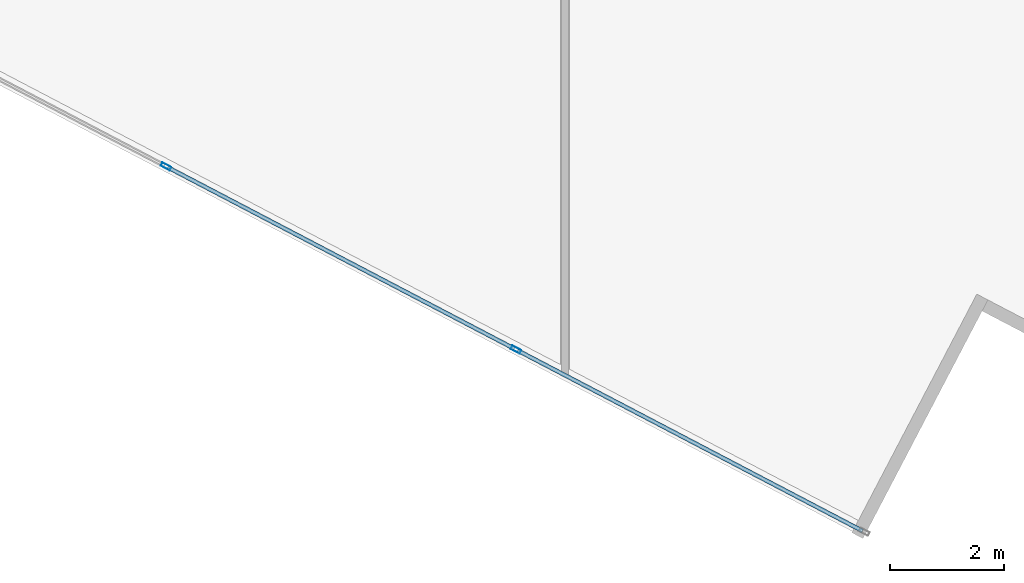
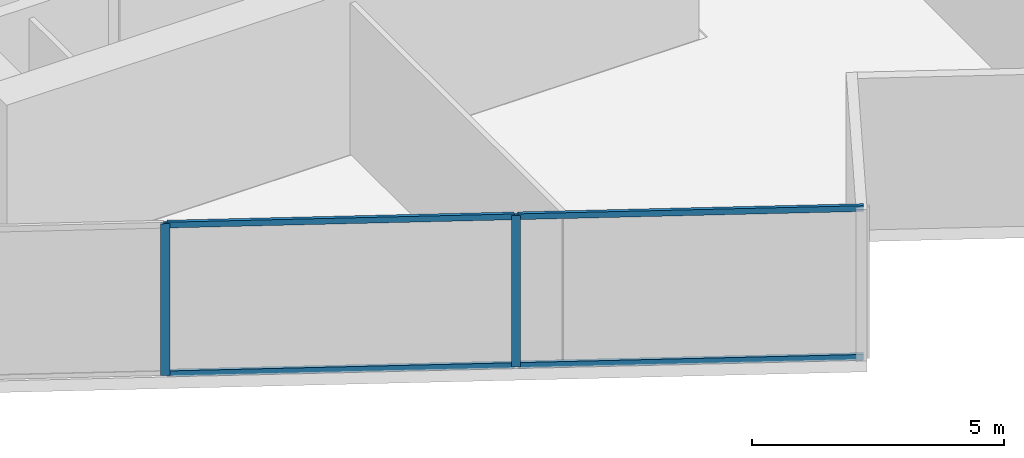
# One storey, part 3 of 27: 6 members, 1 element without a shape of its own.
"""IFC4 building model written with IfcOpenShell, lengths in metres."""

from ifc_helpers import new_model, si_unit, direction, frame, origin, origin_2d, place, context, subcontext, project, spatial, hollow_rectangle, extrude, source, transform, mapped, material, material_profile, profile_set, type_object, type_shapes, element, aggregate, save


model = new_model("IFC4")

# Units and contexts
model_context = context("Model", 3, precision=1e-05, world=origin(), true_north=direction((0.0, 1.0)))
body_context = subcontext(model_context, "Body", "Model", "MODEL_VIEW")
ifc_project = project(units=[si_unit("LENGTHUNIT", "METRE"), si_unit("AREAUNIT", "SQUARE_METRE"), si_unit("VOLUMEUNIT", "CUBIC_METRE"), si_unit("PLANEANGLEUNIT", "RADIAN"), si_unit("MASSUNIT", "GRAM", prefix="KILO")], contexts=[model_context])

# Site, building, storey
site_placement = place(None, origin())
site = spatial("IfcSite", under=ifc_project, at=site_placement, CompositionType="ELEMENT")
building_placement = place(site_placement, origin())
building = spatial("IfcBuilding", under=site, at=building_placement, Name="Krantzveldt Concourse Tower", CompositionType="ELEMENT")
storey_placement = place(building_placement, frame((0.0, 0.0, 150.14990234375)))
storey = spatial("IfcBuildingStorey", under=building, at=storey_placement, Name="L36", CompositionType="ELEMENT", Elevation=150.14990234375)

# Curtain wall, members
ifc_material = material(Name="Anodised aluminium 6063-T6", Category="aluminium")
curtain_wall_type = type_object("IfcCurtainWallType", Name="CW3", PredefinedType="USERDEFINED", material=ifc_material)
curtain_wall_placement = place(storey_placement, origin())
curtain_wall = element("IfcCurtainWall", 1, at=curtain_wall_placement, inside=storey, type_object=curtain_wall_type, Name="CW-L36-F04", ObjectType="UNITISED CURTAIN WALL", PredefinedType="USERDEFINED")
ifc_material_profile_1 = material_profile(ifc_material, hollow_rectangle(XDim=0.070068359375, YDim=0.179931640625, WallThickness=0.0048828125, at=origin_2d()), Name="Anodised aluminium 6063-T6", Category="aluminium")
ifc_profile_set_1 = profile_set([ifc_material_profile_1], Name="Anodised aluminium 6063-T6 - ALU-MULL 180x70x5")
member_type_1 = type_object("IfcMemberType", Name="CW-MUL-180", PredefinedType="MULLION", material=ifc_profile_set_1)
shared_shape_1 = source(origin(), body_context, "Body", "SweptSolid", [
    extrude(hollow_rectangle(XDim=0.070068359375, YDim=0.179931640625, WallThickness=0.0048828125, at=origin_2d()), origin(), (0.0, 0.0, 1.0), 3.670166015625),
])
type_shapes(member_type_1, [shared_shape_1])
member_1_placement = place(storey_placement, frame((28.970458984375, 5.7626953125, 0.0), z_axis=(0.0, 0.0, 1.0), x_axis=(0.463682819502, 0.886001265743, 0.0)))
member_1 = element("IfcMember", 2, at=member_1_placement, type_object=member_type_1, Name="CW-Z34 mullion 4", PredefinedType="MULLION", context=body_context, shape_type="MappedRepresentation", body=[
    mapped(shared_shape_1, transform((0.0, 0.0, 0.0), x_axis=(1.0, 0.0, 0.0), y_axis=(0.0, 1.0, 0.0), z_axis=(0.0, 0.0, 1.0), scale=1.0)),
])
member_2_placement = place(storey_placement, frame((35.136962890625, 2.535400390625, 0.0), z_axis=(0.0, 0.0, 1.0), x_axis=(0.463682819502, 0.886001265743, 0.0)))
member_2 = element("IfcMember", 3, at=member_2_placement, type_object=member_type_1, Name="CW-Z34 mullion 5", PredefinedType="MULLION", context=body_context, shape_type="MappedRepresentation", body=[
    mapped(shared_shape_1, transform((0.0, 0.0, 0.0), x_axis=(1.0, 0.0, 0.0), y_axis=(0.0, 1.0, 0.0), z_axis=(0.0, 0.0, 1.0), scale=1.0)),
])
ifc_material_profile_2 = material_profile(ifc_material, hollow_rectangle(XDim=0.070068359375, YDim=0.139892578125, WallThickness=0.0048828125, at=origin_2d()), Name="Anodised aluminium 6063-T6", Category="aluminium")
ifc_profile_set_2 = profile_set([ifc_material_profile_2], Name="Anodised aluminium 6063-T6 - ALU-TRAN 140x70x5")
member_type_2 = type_object("IfcMemberType", Name="CW-TRN-150", PredefinedType="USERDEFINED", material=ifc_profile_set_2)
shared_shape_2 = source(origin(), body_context, "Body", "SweptSolid", [
    extrude(hollow_rectangle(XDim=0.070068359375, YDim=0.139892578125, WallThickness=0.0048828125, at=origin_2d()), origin(), (0.0, 0.0, 1.0), 6.85498046875),
])
member_3_placement = place(storey_placement, frame((35.16796875, 2.519287109375, 0.03515625), z_axis=(0.885989722542, -0.463704875487, 0.0), x_axis=(0.463704875487, 0.885989722542, 0.0)))
member_3 = element("IfcMember", 4, at=member_3_placement, type_object=member_type_2, Name="CW-Z34 transom 5.1", ObjectType="TRANSOM", PredefinedType="USERDEFINED", context=body_context, shape_type="MappedRepresentation", body=[
    mapped(shared_shape_2, transform((0.0, 0.0, 0.0), x_axis=(1.0, 0.0, 0.0), y_axis=(0.0, 1.0, 0.0), z_axis=(0.0, 0.0, 1.0), scale=1.0)),
])
member_4_placement = place(storey_placement, frame((35.16796875, 2.519287109375, 3.635009765625), z_axis=(0.885989722542, -0.463704875487, 0.0), x_axis=(0.463704875487, 0.885989722542, 0.0)))
member_4 = element("IfcMember", 5, at=member_4_placement, type_object=member_type_2, Name="CW-Z34 transom 5.2", ObjectType="TRANSOM", PredefinedType="USERDEFINED", context=body_context, shape_type="MappedRepresentation", body=[
    mapped(shared_shape_2, transform((0.0, 0.0, 0.0), x_axis=(1.0, 0.0, 0.0), y_axis=(0.0, 1.0, 0.0), z_axis=(0.0, 0.0, 1.0), scale=1.0)),
])
shared_shape_3 = source(origin(), body_context, "Body", "SweptSolid", [
    extrude(hollow_rectangle(XDim=0.070068359375, YDim=0.139892578125, WallThickness=0.0048828125, at=origin_2d()), origin(), (0.0, 0.0, 1.0), 6.889892578125),
])
type_shapes(member_type_2, [shared_shape_2, shared_shape_3])
member_5_placement = place(storey_placement, frame((29.00146484375, 5.74658203125, 0.03515625), z_axis=(0.885996544559, -0.46369184059, 0.0), x_axis=(0.46369184059, 0.885996544559, 0.0)))
member_5 = element("IfcMember", 6, at=member_5_placement, type_object=member_type_2, Name="CW-Z34 transom 4.1", ObjectType="TRANSOM", PredefinedType="USERDEFINED", context=body_context, shape_type="MappedRepresentation", body=[
    mapped(shared_shape_3, transform((0.0, 0.0, 0.0), x_axis=(1.0, 0.0, 0.0), y_axis=(0.0, 1.0, 0.0), z_axis=(0.0, 0.0, 1.0), scale=1.0)),
])
member_6_placement = place(storey_placement, frame((29.00146484375, 5.74658203125, 3.635009765625), z_axis=(0.885996544559, -0.46369184059, 0.0), x_axis=(0.46369184059, 0.885996544559, 0.0)))
member_6 = element("IfcMember", 7, at=member_6_placement, type_object=member_type_2, Name="CW-Z34 transom 4.2", ObjectType="TRANSOM", PredefinedType="USERDEFINED", context=body_context, shape_type="MappedRepresentation", body=[
    mapped(shared_shape_3, transform((0.0, 0.0, 0.0), x_axis=(1.0, 0.0, 0.0), y_axis=(0.0, 1.0, 0.0), z_axis=(0.0, 0.0, 1.0), scale=1.0)),
])
aggregate(curtain_wall, [member_1, member_2, member_5, member_6, member_3, member_4])

save(model, "model.ifc")
